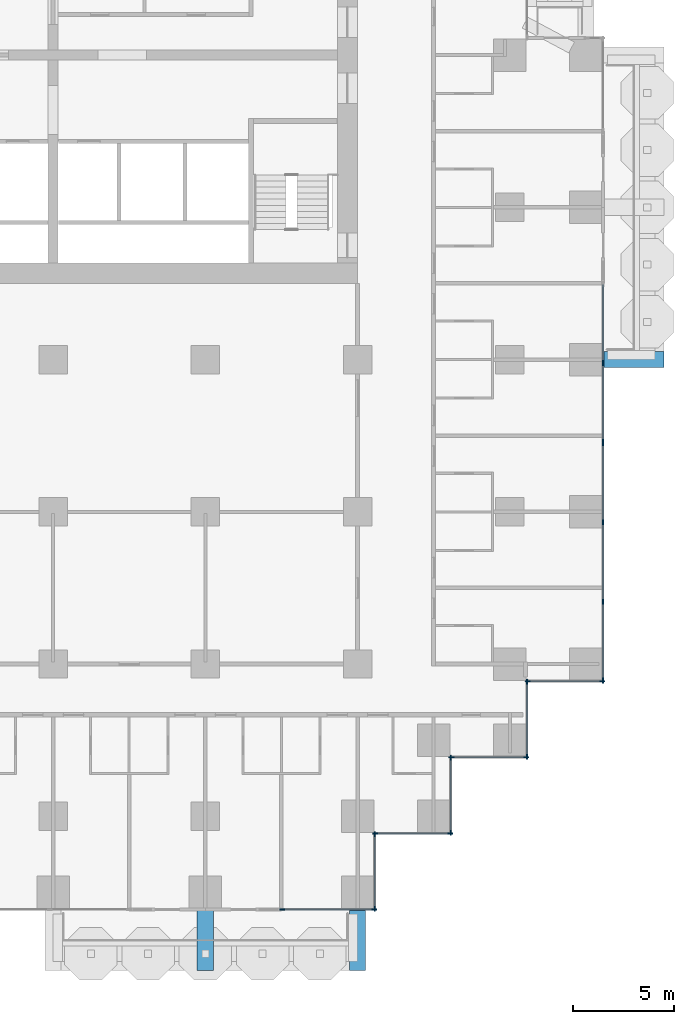
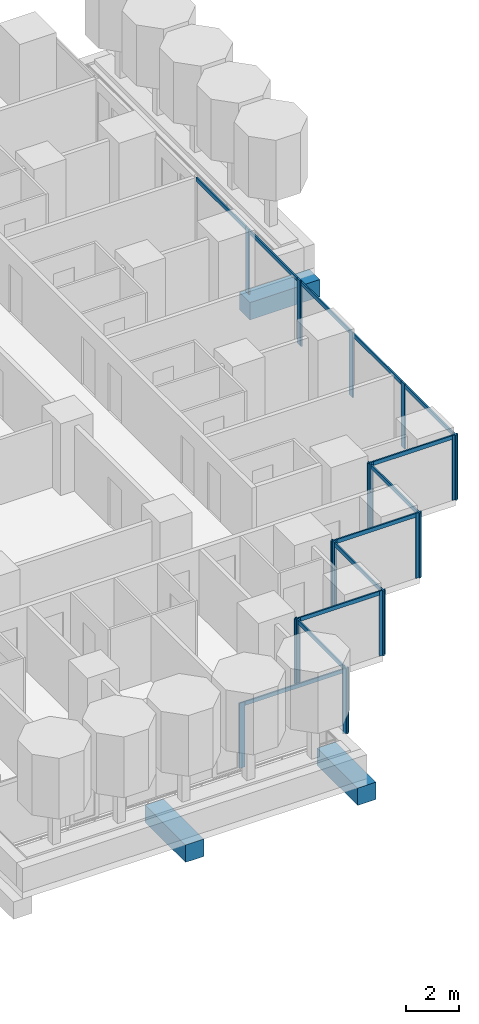
# One storey, part 3 of 19: 32 members, 3 beams, 9 elements without a shape of their own.
"""IFC4 building model written with IfcOpenShell, lengths in metres."""

from ifc_helpers import new_model, si_unit, direction, frame, origin, origin_2d, place, context, subcontext, project, spatial, rectangle, extrude, material, material_profile, profile_set, type_object, element, aggregate, save


model = new_model("IFC4")

# Units and contexts
model_context = context("Model", 3, precision=1e-05, world=origin(), true_north=direction((0.0, 1.0)))
body_context = subcontext(model_context, "Body", "Model", "MODEL_VIEW")
ifc_project = project(units=[si_unit("LENGTHUNIT", "METRE"), si_unit("AREAUNIT", "SQUARE_METRE"), si_unit("VOLUMEUNIT", "CUBIC_METRE"), si_unit("PLANEANGLEUNIT", "RADIAN"), si_unit("MASSUNIT", "GRAM", prefix="KILO")], contexts=[model_context])

# Site, building, storey
site_placement = place(None, origin())
site = spatial("IfcSite", under=ifc_project, at=site_placement, CompositionType="ELEMENT")
building_placement = place(site_placement, origin())
building = spatial("IfcBuilding", under=site, at=building_placement, Name="Pilkhan Gate Tower", CompositionType="ELEMENT")
storey_placement = place(building_placement, frame((0.0, 0.0, 39.5)))
storey = spatial("IfcBuildingStorey", under=building, at=storey_placement, Name="L06", CompositionType="ELEMENT", Elevation=39.5)

# Beams
ifc_material_1 = material(Name="Concrete C50/60", Category="concrete")
ifc_material_profile_1 = material_profile(ifc_material_1, rectangle(XDim=0.800048828125, YDim=0.800048828125, at=origin_2d()), Name="RC 800x800")
ifc_profile_set_1 = profile_set([ifc_material_profile_1], Name="Concrete C50/60")
beam_type = type_object("IfcBeamType", Name="Cantilever beam CB2 RC 800x800 C50/60", PredefinedType="BEAM", material=ifc_profile_set_1)
for number, where, z_axis, x_axis, name in (
    (1, (82.5, 40.449951171875, -0.699951171875), (0.0, -1.0, 0.0), (1.0, 0.0, 0.0), "Balcony beam S.2 L06"),
    (2, (90.0, 40.449951171875, -0.699951171875), (0.0, -1.0, 0.0), (1.0, 0.0, 0.0), "Balcony beam S.3 L06"),
    (3, (102.050048828125, 67.5, -0.699951171875), (1.0, 0.0, 0.0), (0.0, 1.0, 0.0), "Balcony beam E.1 L06"),
):
    element("IfcBeam", number, at=place(storey_placement, frame(where, z_axis=z_axis, x_axis=x_axis)), inside=storey, type_object=beam_type, Name=name, PredefinedType="BEAM", context=body_context, shape_type="SweptSolid", body=[
        extrude(rectangle(XDim=0.800048828125, YDim=0.800048828125, at=origin_2d()), origin(), (0.0, 0.0, 1.0), 3.050048828125),
    ])

# Curtain wall, members
ifc_material_2 = material(Name="Pale anodised aluminium, clear low-iron double glazing", Category="aluminium")
curtain_wall_type = type_object("IfcCurtainWallType", Name="Hotel unitised curtain wall CW-H", PredefinedType="USERDEFINED", material=ifc_material_2)
curtain_wall_1_placement = place(storey_placement, origin())
curtain_wall_1 = element("IfcCurtainWall", 4, at=curtain_wall_1_placement, inside=storey, type_object=curtain_wall_type, Name="Hotel unitised curtain wall CW-H L06 E", ObjectType="UNITISED CURTAIN WALL", PredefinedType="USERDEFINED")
ifc_material_3 = material(Name="Pale anodised aluminium", Category="aluminium")
ifc_material_profile_2 = material_profile(ifc_material_3, rectangle(XDim=0.06494140625, YDim=0.25, at=origin_2d()), Name="Mullion 250x65")
ifc_profile_set_2 = profile_set([ifc_material_profile_2], Name="Pale anodised aluminium")
member_type_1 = type_object("IfcMemberType", Name="Mullion CW-H 250x65", PredefinedType="MULLION", material=ifc_profile_set_2)
member_1_placement = place(storey_placement, frame((102.094970703125, 51.6875, 0.0), z_axis=(0.0, 0.0, 1.0), x_axis=(-1.0, 0.0, 0.0)))
member_1 = element("IfcMember", 5, at=member_1_placement, type_object=member_type_1, Name="CW-H mullion 1", PredefinedType="MULLION", context=body_context, shape_type="SweptSolid", body=[
    extrude(rectangle(XDim=0.06494140625, YDim=0.25, at=origin_2d()), origin(), (0.0, 0.0, 1.0), 3.0),
])
member_2_placement = place(storey_placement, frame((102.094970703125, 55.573974609375, 0.0), z_axis=(0.0, 0.0, 1.0), x_axis=(-1.0, 0.0, 0.0)))
member_2 = element("IfcMember", 6, at=member_2_placement, type_object=member_type_1, Name="CW-H mullion 2", PredefinedType="MULLION", context=body_context, shape_type="SweptSolid", body=[
    extrude(rectangle(XDim=0.06494140625, YDim=0.25, at=origin_2d()), origin(), (0.0, 0.0, 1.0), 3.0),
])
member_3_placement = place(storey_placement, frame((102.094970703125, 59.492919921875, 0.0), z_axis=(0.0, 0.0, 1.0), x_axis=(-1.0, 0.0, 0.0)))
member_3 = element("IfcMember", 7, at=member_3_placement, type_object=member_type_1, Name="CW-H mullion 3", PredefinedType="MULLION", context=body_context, shape_type="SweptSolid", body=[
    extrude(rectangle(XDim=0.06494140625, YDim=0.25, at=origin_2d()), origin(), (0.0, 0.0, 1.0), 3.0),
])
member_4_placement = place(storey_placement, frame((102.094970703125, 63.37939453125, 0.0), z_axis=(0.0, 0.0, 1.0), x_axis=(-1.0, 0.0, 0.0)))
member_4 = element("IfcMember", 8, at=member_4_placement, type_object=member_type_1, Name="CW-H mullion 4", PredefinedType="MULLION", context=body_context, shape_type="SweptSolid", body=[
    extrude(rectangle(XDim=0.06494140625, YDim=0.25, at=origin_2d()), origin(), (0.0, 0.0, 1.0), 3.0),
])

curtain_wall_2_placement = place(storey_placement, origin())
curtain_wall_2 = element("IfcCurtainWall", 9, at=curtain_wall_2_placement, inside=storey, type_object=curtain_wall_type, Name="Hotel unitised curtain wall CW-H L06 E", ObjectType="UNITISED CURTAIN WALL", PredefinedType="USERDEFINED")
member_5_placement = place(storey_placement, frame((102.094970703125, 63.444580078125, 0.0), z_axis=(0.0, 0.0, 1.0), x_axis=(-1.0, 0.0, 0.0)))
member_5 = element("IfcMember", 10, at=member_5_placement, type_object=member_type_1, Name="CW-H mullion 1", PredefinedType="MULLION", context=body_context, shape_type="SweptSolid", body=[
    extrude(rectangle(XDim=0.06494140625, YDim=0.25, at=origin_2d()), origin(), (0.0, 0.0, 1.0), 3.0),
])
member_6_placement = place(storey_placement, frame((102.094970703125, 67.3310546875, 0.0), z_axis=(0.0, 0.0, 1.0), x_axis=(-1.0, 0.0, 0.0)))
member_6 = element("IfcMember", 11, at=member_6_placement, type_object=member_type_1, Name="CW-H mullion 2", PredefinedType="MULLION", context=body_context, shape_type="SweptSolid", body=[
    extrude(rectangle(XDim=0.06494140625, YDim=0.25, at=origin_2d()), origin(), (0.0, 0.0, 1.0), 3.0),
])

curtain_wall_3_placement = place(storey_placement, origin())
curtain_wall_3 = element("IfcCurtainWall", 12, at=curtain_wall_3_placement, inside=storey, type_object=curtain_wall_type, Name="Hotel unitised curtain wall CW-H L06 S", ObjectType="UNITISED CURTAIN WALL", PredefinedType="USERDEFINED")
member_7_placement = place(storey_placement, frame((86.282470703125, 40.405029296875, 0.0), z_axis=(0.0, 0.0, 1.0), x_axis=(0.0, 1.0, 0.0)))
member_7 = element("IfcMember", 13, at=member_7_placement, type_object=member_type_1, Name="CW-H mullion 1", PredefinedType="MULLION", context=body_context, shape_type="SweptSolid", body=[
    extrude(rectangle(XDim=0.06494140625, YDim=0.25, at=origin_2d()), origin(), (0.0, 0.0, 1.0), 3.0),
])
member_8_placement = place(storey_placement, frame((90.8125, 40.405029296875, 0.0), z_axis=(0.0, 0.0, 1.0), x_axis=(0.0, 1.0, 0.0)))
member_8 = element("IfcMember", 14, at=member_8_placement, type_object=member_type_1, Name="CW-H mullion 2", PredefinedType="MULLION", context=body_context, shape_type="SweptSolid", body=[
    extrude(rectangle(XDim=0.06494140625, YDim=0.25, at=origin_2d()), origin(), (0.0, 0.0, 1.0), 3.0),
])

curtain_wall_4_placement = place(storey_placement, origin())
curtain_wall_4 = element("IfcCurtainWall", 15, at=curtain_wall_4_placement, inside=storey, type_object=curtain_wall_type, Name="Hotel unitised curtain wall CW-H L06 E", ObjectType="UNITISED CURTAIN WALL", PredefinedType="USERDEFINED")
member_9_placement = place(storey_placement, frame((90.844970703125, 40.4375, 0.0), z_axis=(0.0, 0.0, 1.0), x_axis=(-1.0, 0.0, 0.0)))
member_9 = element("IfcMember", 16, at=member_9_placement, type_object=member_type_1, Name="CW-H mullion 1", PredefinedType="MULLION", context=body_context, shape_type="SweptSolid", body=[
    extrude(rectangle(XDim=0.06494140625, YDim=0.25, at=origin_2d()), origin(), (0.0, 0.0, 1.0), 3.0),
])
member_10_placement = place(storey_placement, frame((90.844970703125, 44.12255859375, 0.0), z_axis=(0.0, 0.0, 1.0), x_axis=(-1.0, 0.0, 0.0)))
member_10 = element("IfcMember", 17, at=member_10_placement, type_object=member_type_1, Name="CW-H mullion 2", PredefinedType="MULLION", context=body_context, shape_type="SweptSolid", body=[
    extrude(rectangle(XDim=0.06494140625, YDim=0.25, at=origin_2d()), origin(), (0.0, 0.0, 1.0), 3.0),
])

curtain_wall_5_placement = place(storey_placement, origin())
curtain_wall_5 = element("IfcCurtainWall", 18, at=curtain_wall_5_placement, inside=storey, type_object=curtain_wall_type, Name="Hotel unitised curtain wall CW-H L06 S", ObjectType="UNITISED CURTAIN WALL", PredefinedType="USERDEFINED")
member_11_placement = place(storey_placement, frame((90.87744140625, 44.155029296875, 0.0), z_axis=(0.0, 0.0, 1.0), x_axis=(0.0, 1.0, 0.0)))
member_11 = element("IfcMember", 19, at=member_11_placement, type_object=member_type_1, Name="CW-H mullion 1", PredefinedType="MULLION", context=body_context, shape_type="SweptSolid", body=[
    extrude(rectangle(XDim=0.06494140625, YDim=0.25, at=origin_2d()), origin(), (0.0, 0.0, 1.0), 3.0),
])
member_12_placement = place(storey_placement, frame((94.5625, 44.155029296875, 0.0), z_axis=(0.0, 0.0, 1.0), x_axis=(0.0, 1.0, 0.0)))
member_12 = element("IfcMember", 20, at=member_12_placement, type_object=member_type_1, Name="CW-H mullion 2", PredefinedType="MULLION", context=body_context, shape_type="SweptSolid", body=[
    extrude(rectangle(XDim=0.06494140625, YDim=0.25, at=origin_2d()), origin(), (0.0, 0.0, 1.0), 3.0),
])

curtain_wall_6_placement = place(storey_placement, origin())
curtain_wall_6 = element("IfcCurtainWall", 21, at=curtain_wall_6_placement, inside=storey, type_object=curtain_wall_type, Name="Hotel unitised curtain wall CW-H L06 E", ObjectType="UNITISED CURTAIN WALL", PredefinedType="USERDEFINED")
member_13_placement = place(storey_placement, frame((94.594970703125, 44.1875, 0.0), z_axis=(0.0, 0.0, 1.0), x_axis=(-1.0, 0.0, 0.0)))
member_13 = element("IfcMember", 22, at=member_13_placement, type_object=member_type_1, Name="CW-H mullion 1", PredefinedType="MULLION", context=body_context, shape_type="SweptSolid", body=[
    extrude(rectangle(XDim=0.06494140625, YDim=0.25, at=origin_2d()), origin(), (0.0, 0.0, 1.0), 3.0),
])
member_14_placement = place(storey_placement, frame((94.594970703125, 47.87255859375, 0.0), z_axis=(0.0, 0.0, 1.0), x_axis=(-1.0, 0.0, 0.0)))
member_14 = element("IfcMember", 23, at=member_14_placement, type_object=member_type_1, Name="CW-H mullion 2", PredefinedType="MULLION", context=body_context, shape_type="SweptSolid", body=[
    extrude(rectangle(XDim=0.06494140625, YDim=0.25, at=origin_2d()), origin(), (0.0, 0.0, 1.0), 3.0),
])

curtain_wall_7_placement = place(storey_placement, origin())
curtain_wall_7 = element("IfcCurtainWall", 24, at=curtain_wall_7_placement, inside=storey, type_object=curtain_wall_type, Name="Hotel unitised curtain wall CW-H L06 S", ObjectType="UNITISED CURTAIN WALL", PredefinedType="USERDEFINED")
member_15_placement = place(storey_placement, frame((94.62744140625, 47.905029296875, 0.0), z_axis=(0.0, 0.0, 1.0), x_axis=(0.0, 1.0, 0.0)))
member_15 = element("IfcMember", 25, at=member_15_placement, type_object=member_type_1, Name="CW-H mullion 1", PredefinedType="MULLION", context=body_context, shape_type="SweptSolid", body=[
    extrude(rectangle(XDim=0.06494140625, YDim=0.25, at=origin_2d()), origin(), (0.0, 0.0, 1.0), 3.0),
])
member_16_placement = place(storey_placement, frame((98.3125, 47.905029296875, 0.0), z_axis=(0.0, 0.0, 1.0), x_axis=(0.0, 1.0, 0.0)))
member_16 = element("IfcMember", 26, at=member_16_placement, type_object=member_type_1, Name="CW-H mullion 2", PredefinedType="MULLION", context=body_context, shape_type="SweptSolid", body=[
    extrude(rectangle(XDim=0.06494140625, YDim=0.25, at=origin_2d()), origin(), (0.0, 0.0, 1.0), 3.0),
])

curtain_wall_8_placement = place(storey_placement, origin())
curtain_wall_8 = element("IfcCurtainWall", 27, at=curtain_wall_8_placement, inside=storey, type_object=curtain_wall_type, Name="Hotel unitised curtain wall CW-H L06 E", ObjectType="UNITISED CURTAIN WALL", PredefinedType="USERDEFINED")
member_17_placement = place(storey_placement, frame((98.344970703125, 47.9375, 0.0), z_axis=(0.0, 0.0, 1.0), x_axis=(-1.0, 0.0, 0.0)))
member_17 = element("IfcMember", 28, at=member_17_placement, type_object=member_type_1, Name="CW-H mullion 1", PredefinedType="MULLION", context=body_context, shape_type="SweptSolid", body=[
    extrude(rectangle(XDim=0.06494140625, YDim=0.25, at=origin_2d()), origin(), (0.0, 0.0, 1.0), 3.0),
])
member_18_placement = place(storey_placement, frame((98.344970703125, 51.62255859375, 0.0), z_axis=(0.0, 0.0, 1.0), x_axis=(-1.0, 0.0, 0.0)))
member_18 = element("IfcMember", 29, at=member_18_placement, type_object=member_type_1, Name="CW-H mullion 2", PredefinedType="MULLION", context=body_context, shape_type="SweptSolid", body=[
    extrude(rectangle(XDim=0.06494140625, YDim=0.25, at=origin_2d()), origin(), (0.0, 0.0, 1.0), 3.0),
])

curtain_wall_9_placement = place(storey_placement, origin())
curtain_wall_9 = element("IfcCurtainWall", 30, at=curtain_wall_9_placement, inside=storey, type_object=curtain_wall_type, Name="Hotel unitised curtain wall CW-H L06 S", ObjectType="UNITISED CURTAIN WALL", PredefinedType="USERDEFINED")
member_19_placement = place(storey_placement, frame((98.37744140625, 51.655029296875, 0.0), z_axis=(0.0, 0.0, 1.0), x_axis=(0.0, 1.0, 0.0)))
member_19 = element("IfcMember", 31, at=member_19_placement, type_object=member_type_1, Name="CW-H mullion 1", PredefinedType="MULLION", context=body_context, shape_type="SweptSolid", body=[
    extrude(rectangle(XDim=0.06494140625, YDim=0.25, at=origin_2d()), origin(), (0.0, 0.0, 1.0), 3.0),
])
member_20_placement = place(storey_placement, frame((102.0625, 51.655029296875, 0.0), z_axis=(0.0, 0.0, 1.0), x_axis=(0.0, 1.0, 0.0)))
member_20 = element("IfcMember", 32, at=member_20_placement, type_object=member_type_1, Name="CW-H mullion 2", PredefinedType="MULLION", context=body_context, shape_type="SweptSolid", body=[
    extrude(rectangle(XDim=0.06494140625, YDim=0.25, at=origin_2d()), origin(), (0.0, 0.0, 1.0), 3.0),
])

# Member
ifc_material_profile_3 = material_profile(ifc_material_3, rectangle(XDim=0.06494140625, YDim=0.179931640625, at=origin_2d()), Name="Transom 180x65")
ifc_profile_set_3 = profile_set([ifc_material_profile_3], Name="Pale anodised aluminium")
member_type_2 = type_object("IfcMemberType", Name="Transom CW-H 180x65", PredefinedType="USERDEFINED", material=ifc_profile_set_3)
member_21_placement = place(storey_placement, frame((102.094970703125, 51.719970703125, 2.909912109375), z_axis=(0.0, 1.0, 0.0), x_axis=(-1.0, 0.0, 0.0)))
member_21 = element("IfcMember", 33, at=member_21_placement, type_object=member_type_2, Name="CW-H transom 1", ObjectType="TRANSOM", PredefinedType="USERDEFINED", context=body_context, shape_type="SweptSolid", body=[
    extrude(rectangle(XDim=0.06494140625, YDim=0.179931640625, at=origin_2d()), origin(), (0.0, 0.0, 1.0), 3.821533203125),
])

member_22_placement = place(storey_placement, frame((102.094970703125, 55.6064453125, 2.909912109375), z_axis=(0.0, 1.0, 0.0), x_axis=(-1.0, 0.0, 0.0)))
member_22 = element("IfcMember", 34, at=member_22_placement, type_object=member_type_2, Name="CW-H transom 2", ObjectType="TRANSOM", PredefinedType="USERDEFINED", context=body_context, shape_type="SweptSolid", body=[
    extrude(rectangle(XDim=0.06494140625, YDim=0.179931640625, at=origin_2d()), origin(), (0.0, 0.0, 1.0), 3.85400390625),
])

member_23_placement = place(storey_placement, frame((102.094970703125, 59.525390625, 2.909912109375), z_axis=(0.0, 1.0, 0.0), x_axis=(-1.0, 0.0, 0.0)))
member_23 = element("IfcMember", 35, at=member_23_placement, type_object=member_type_2, Name="CW-H transom 3", ObjectType="TRANSOM", PredefinedType="USERDEFINED", context=body_context, shape_type="SweptSolid", body=[
    extrude(rectangle(XDim=0.06494140625, YDim=0.179931640625, at=origin_2d()), origin(), (0.0, 0.0, 1.0), 3.821533203125),
])

aggregate(curtain_wall_1, [member_1, member_2, member_3, member_4, member_21, member_22, member_23])

member_24_placement = place(storey_placement, frame((102.094970703125, 63.47705078125, 2.909912109375), z_axis=(0.0, 1.0, 0.0), x_axis=(-1.0, 0.0, 0.0)))
member_24 = element("IfcMember", 36, at=member_24_placement, type_object=member_type_2, Name="CW-H transom 1", ObjectType="TRANSOM", PredefinedType="USERDEFINED", context=body_context, shape_type="SweptSolid", body=[
    extrude(rectangle(XDim=0.06494140625, YDim=0.179931640625, at=origin_2d()), origin(), (0.0, 0.0, 1.0), 3.821533203125),
])

member_25_placement = place(storey_placement, frame((102.094970703125, 67.363525390625, 2.909912109375), z_axis=(0.0, 1.0, 0.0), x_axis=(-1.0, 0.0, 0.0)))
member_25 = element("IfcMember", 37, at=member_25_placement, type_object=member_type_2, Name="CW-H transom 2", ObjectType="TRANSOM", PredefinedType="USERDEFINED", context=body_context, shape_type="SweptSolid", body=[
    extrude(rectangle(XDim=0.06494140625, YDim=0.179931640625, at=origin_2d()), origin(), (0.0, 0.0, 1.0), 3.821533203125),
])

aggregate(curtain_wall_2, [member_5, member_6, member_24, member_25])

member_26_placement = place(storey_placement, frame((86.31494140625, 40.405029296875, 2.909912109375), z_axis=(1.0, 0.0, 0.0), x_axis=(0.0, 1.0, 0.0)))
member_26 = element("IfcMember", 38, at=member_26_placement, type_object=member_type_2, Name="CW-H transom 1", ObjectType="TRANSOM", PredefinedType="USERDEFINED", context=body_context, shape_type="SweptSolid", body=[
    extrude(rectangle(XDim=0.06494140625, YDim=0.179931640625, at=origin_2d()), origin(), (0.0, 0.0, 1.0), 4.465087890625),
])

aggregate(curtain_wall_3, [member_7, member_8, member_26])

member_27_placement = place(storey_placement, frame((90.844970703125, 40.469970703125, 2.909912109375), z_axis=(0.0, 1.0, 0.0), x_axis=(-1.0, 0.0, 0.0)))
member_27 = element("IfcMember", 39, at=member_27_placement, type_object=member_type_2, Name="CW-H transom 1", ObjectType="TRANSOM", PredefinedType="USERDEFINED", context=body_context, shape_type="SweptSolid", body=[
    extrude(rectangle(XDim=0.06494140625, YDim=0.179931640625, at=origin_2d()), origin(), (0.0, 0.0, 1.0), 3.6201171875),
])

aggregate(curtain_wall_4, [member_9, member_10, member_27])

member_28_placement = place(storey_placement, frame((90.909912109375, 44.155029296875, 2.909912109375), z_axis=(1.0, 0.0, 0.0), x_axis=(0.0, 1.0, 0.0)))
member_28 = element("IfcMember", 40, at=member_28_placement, type_object=member_type_2, Name="CW-H transom 1", ObjectType="TRANSOM", PredefinedType="USERDEFINED", context=body_context, shape_type="SweptSolid", body=[
    extrude(rectangle(XDim=0.06494140625, YDim=0.179931640625, at=origin_2d()), origin(), (0.0, 0.0, 1.0), 3.6201171875),
])

aggregate(curtain_wall_5, [member_11, member_12, member_28])

member_29_placement = place(storey_placement, frame((94.594970703125, 44.219970703125, 2.909912109375), z_axis=(0.0, 1.0, 0.0), x_axis=(-1.0, 0.0, 0.0)))
member_29 = element("IfcMember", 41, at=member_29_placement, type_object=member_type_2, Name="CW-H transom 1", ObjectType="TRANSOM", PredefinedType="USERDEFINED", context=body_context, shape_type="SweptSolid", body=[
    extrude(rectangle(XDim=0.06494140625, YDim=0.179931640625, at=origin_2d()), origin(), (0.0, 0.0, 1.0), 3.6201171875),
])

aggregate(curtain_wall_6, [member_13, member_14, member_29])

member_30_placement = place(storey_placement, frame((94.659912109375, 47.905029296875, 2.909912109375), z_axis=(1.0, 0.0, 0.0), x_axis=(0.0, 1.0, 0.0)))
member_30 = element("IfcMember", 42, at=member_30_placement, type_object=member_type_2, Name="CW-H transom 1", ObjectType="TRANSOM", PredefinedType="USERDEFINED", context=body_context, shape_type="SweptSolid", body=[
    extrude(rectangle(XDim=0.06494140625, YDim=0.179931640625, at=origin_2d()), origin(), (0.0, 0.0, 1.0), 3.6201171875),
])

aggregate(curtain_wall_7, [member_15, member_16, member_30])

member_31_placement = place(storey_placement, frame((98.344970703125, 47.969970703125, 2.909912109375), z_axis=(0.0, 1.0, 0.0), x_axis=(-1.0, 0.0, 0.0)))
member_31 = element("IfcMember", 43, at=member_31_placement, type_object=member_type_2, Name="CW-H transom 1", ObjectType="TRANSOM", PredefinedType="USERDEFINED", context=body_context, shape_type="SweptSolid", body=[
    extrude(rectangle(XDim=0.06494140625, YDim=0.179931640625, at=origin_2d()), origin(), (0.0, 0.0, 1.0), 3.6201171875),
])

aggregate(curtain_wall_8, [member_17, member_18, member_31])

member_32_placement = place(storey_placement, frame((98.409912109375, 51.655029296875, 2.909912109375), z_axis=(1.0, 0.0, 0.0), x_axis=(0.0, 1.0, 0.0)))
member_32 = element("IfcMember", 44, at=member_32_placement, type_object=member_type_2, Name="CW-H transom 1", ObjectType="TRANSOM", PredefinedType="USERDEFINED", context=body_context, shape_type="SweptSolid", body=[
    extrude(rectangle(XDim=0.06494140625, YDim=0.179931640625, at=origin_2d()), origin(), (0.0, 0.0, 1.0), 3.6201171875),
])

aggregate(curtain_wall_9, [member_19, member_20, member_32])

save(model, "model.ifc")
